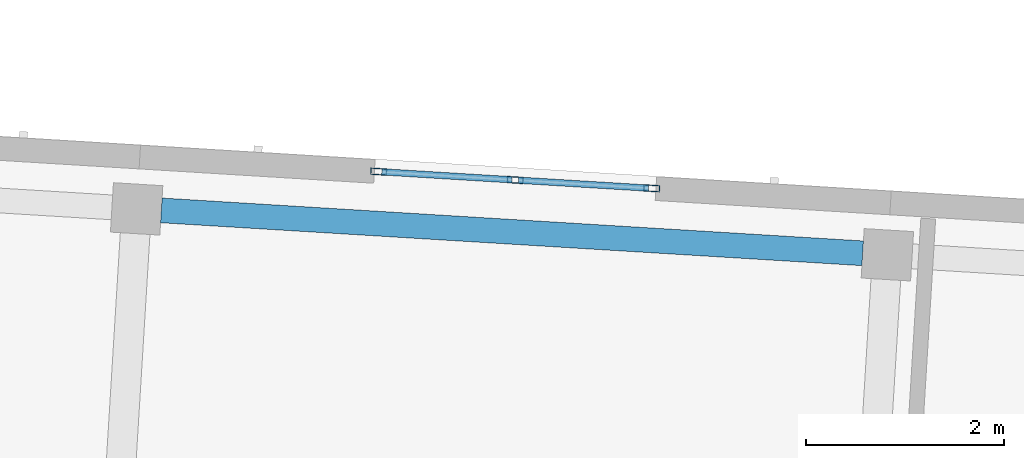
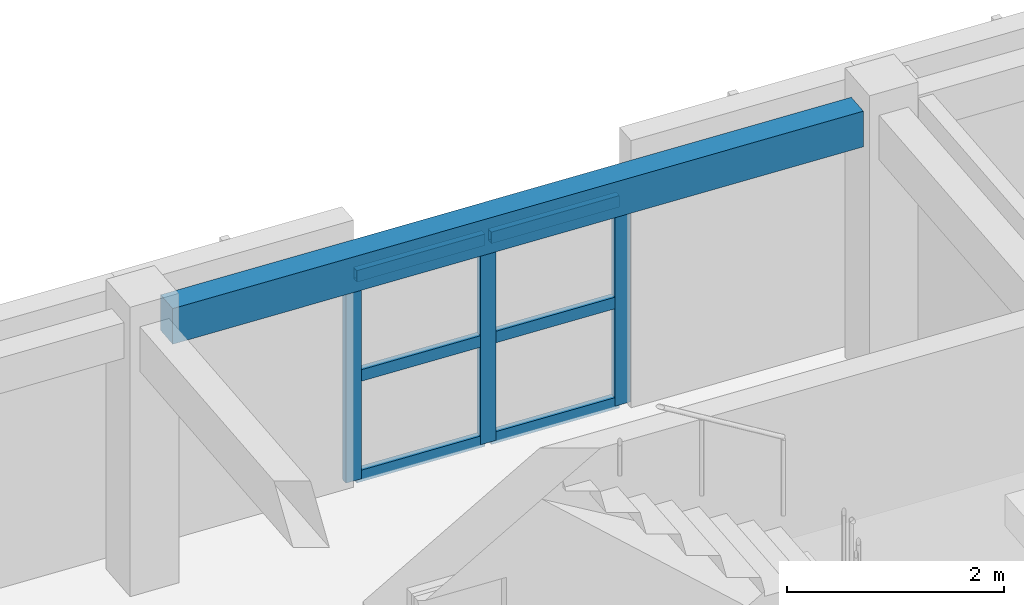
# One storey, part 6 of 68: 9 members, 1 beam, 1 element without a shape of its own.
"""IFC4 building model written with IfcOpenShell, lengths in metres."""

from ifc_helpers import new_model, si_unit, direction, frame, origin, origin_2d, place, context, subcontext, project, spatial, rectangle, hollow_rectangle, extrude, material, material_profile, profile_set, type_object, element, aggregate, save


model = new_model("IFC4")

# Units and contexts
model_context = context("Model", 3, precision=1e-05, world=origin(), true_north=direction((0.0, 1.0)))
body_context = subcontext(model_context, "Body", "Model", "MODEL_VIEW")
ifc_project = project(units=[si_unit("LENGTHUNIT", "METRE"), si_unit("AREAUNIT", "SQUARE_METRE"), si_unit("VOLUMEUNIT", "CUBIC_METRE"), si_unit("PLANEANGLEUNIT", "RADIAN"), si_unit("MASSUNIT", "GRAM", prefix="KILO")], contexts=[model_context])

# Site, building, storey
site_placement = place(None, origin())
site = spatial("IfcSite", under=ifc_project, at=site_placement, CompositionType="ELEMENT")
building_placement = place(site_placement, origin())
building = spatial("IfcBuilding", under=site, at=building_placement, Name="Kestramere Prow Commons", CompositionType="ELEMENT")
storey_placement = place(building_placement, frame((0.0, 0.0, 18.14990234375)))
storey = spatial("IfcBuildingStorey", under=building, at=storey_placement, Name="L05", CompositionType="ELEMENT", Elevation=18.14990234375)

# Curtain wall, members
ifc_material_1 = material(Name="Anodised Aluminium and Low-E Glass", Category="aluminium")
curtain_wall_type = type_object("IfcCurtainWallType", Name="CW-03 Glazed Curtain Wall 2830x2320", PredefinedType="USERDEFINED", material=ifc_material_1)
curtain_wall_placement = place(storey_placement, origin())
curtain_wall = element("IfcCurtainWall", 1, at=curtain_wall_placement, inside=storey, type_object=curtain_wall_type, Name="Block C L05 Stairwell Vertical Glazing 3", ObjectType="GLAZED CURTAIN WALL", PredefinedType="USERDEFINED")
ifc_material_2 = material(Name="Anodised Aluminium 6063-T6", Category="aluminium")
ifc_material_profile_1 = material_profile(ifc_material_2, hollow_rectangle(XDim=0.06494140625, YDim=0.159912109375, WallThickness=0.00390625, at=origin_2d()), Name="ALU-MUL 65x160")
ifc_profile_set_1 = profile_set([ifc_material_profile_1], Name="Anodised Aluminium 6063-T6")
member_type_1 = type_object("IfcMemberType", Name="CW-MUL-65x160", PredefinedType="MULLION", material=ifc_profile_set_1)
member_1_placement = place(storey_placement, frame((78.313232421875, 65.511962890625, 0.0), z_axis=(0.0, 0.0, 1.0), x_axis=(0.061048399176, 0.998134807007, 0.0)))
member_1 = element("IfcMember", 2, at=member_1_placement, type_object=member_type_1, Name="CW-03 mullion 1", PredefinedType="MULLION", context=body_context, shape_type="SweptSolid", body=[
    extrude(hollow_rectangle(XDim=0.06494140625, YDim=0.159912109375, WallThickness=0.00390625, at=origin_2d()), origin(), (0.0, 0.0, 1.0), 2.320068359375),
])
member_2_placement = place(storey_placement, frame((79.693115234375, 65.427490234375, 0.0), z_axis=(0.0, 0.0, 1.0), x_axis=(0.061048399176, 0.998134807007, 0.0)))
member_2 = element("IfcMember", 3, at=member_2_placement, type_object=member_type_1, Name="CW-03 mullion 2", PredefinedType="MULLION", context=body_context, shape_type="SweptSolid", body=[
    extrude(hollow_rectangle(XDim=0.06494140625, YDim=0.159912109375, WallThickness=0.00390625, at=origin_2d()), origin(), (0.0, 0.0, 1.0), 2.320068359375),
])
member_3_placement = place(storey_placement, frame((81.072998046875, 65.34326171875, 0.0), z_axis=(0.0, 0.0, 1.0), x_axis=(0.061048399176, 0.998134807007, 0.0)))
member_3 = element("IfcMember", 4, at=member_3_placement, type_object=member_type_1, Name="CW-03 mullion 3", PredefinedType="MULLION", context=body_context, shape_type="SweptSolid", body=[
    extrude(hollow_rectangle(XDim=0.06494140625, YDim=0.159912109375, WallThickness=0.00390625, at=origin_2d()), origin(), (0.0, 0.0, 1.0), 2.320068359375),
])
ifc_material_profile_2 = material_profile(ifc_material_2, hollow_rectangle(XDim=0.06494140625, YDim=0.1298828125, WallThickness=0.00390625, at=origin_2d()), Name="ALU-TRN 65x130")
ifc_profile_set_2 = profile_set([ifc_material_profile_2], Name="Anodised Aluminium 6063-T6")
member_type_2 = type_object("IfcMemberType", Name="CW-TRN-65x130", PredefinedType="USERDEFINED", material=ifc_profile_set_2)
member_4_placement = place(storey_placement, frame((78.345703125, 65.510009765625, 0.03271484375), z_axis=(0.99812826429, -0.061155277983, 0.0), x_axis=(0.061155277983, 0.99812826429, 0.0)))
member_4 = element("IfcMember", 5, at=member_4_placement, type_object=member_type_2, Name="CW-03 transom 1.1", ObjectType="TRANSOM", PredefinedType="USERDEFINED", context=body_context, shape_type="SweptSolid", body=[
    extrude(hollow_rectangle(XDim=0.06494140625, YDim=0.1298828125, WallThickness=0.00390625, at=origin_2d()), origin(), (0.0, 0.0, 1.0), 1.3173828125),
])
member_5_placement = place(storey_placement, frame((78.345703125, 65.510009765625, 1.16015625), z_axis=(0.99812826429, -0.061155277983, 0.0), x_axis=(0.061155277983, 0.99812826429, 0.0)))
member_5 = element("IfcMember", 6, at=member_5_placement, type_object=member_type_2, Name="CW-03 transom 1.2", ObjectType="TRANSOM", PredefinedType="USERDEFINED", context=body_context, shape_type="SweptSolid", body=[
    extrude(hollow_rectangle(XDim=0.06494140625, YDim=0.1298828125, WallThickness=0.00390625, at=origin_2d()), origin(), (0.0, 0.0, 1.0), 1.3173828125),
])
member_6_placement = place(storey_placement, frame((78.345703125, 65.510009765625, 2.28759765625), z_axis=(0.99812826429, -0.061155277983, 0.0), x_axis=(0.061155277983, 0.99812826429, 0.0)))
member_6 = element("IfcMember", 7, at=member_6_placement, type_object=member_type_2, Name="CW-03 transom 1.3", ObjectType="TRANSOM", PredefinedType="USERDEFINED", context=body_context, shape_type="SweptSolid", body=[
    extrude(hollow_rectangle(XDim=0.06494140625, YDim=0.1298828125, WallThickness=0.00390625, at=origin_2d()), origin(), (0.0, 0.0, 1.0), 1.3173828125),
])
member_7_placement = place(storey_placement, frame((79.7255859375, 65.425537109375, 0.03271484375), z_axis=(0.998139559366, -0.06097064891, 0.0), x_axis=(0.06097064891, 0.998139559366, 0.0)))
member_7 = element("IfcMember", 8, at=member_7_placement, type_object=member_type_2, Name="CW-03 transom 2.1", ObjectType="TRANSOM", PredefinedType="USERDEFINED", context=body_context, shape_type="SweptSolid", body=[
    extrude(hollow_rectangle(XDim=0.06494140625, YDim=0.1298828125, WallThickness=0.00390625, at=origin_2d()), origin(), (0.0, 0.0, 1.0), 1.3173828125),
])
member_8_placement = place(storey_placement, frame((79.7255859375, 65.425537109375, 1.16015625), z_axis=(0.998139559366, -0.06097064891, 0.0), x_axis=(0.06097064891, 0.998139559366, 0.0)))
member_8 = element("IfcMember", 9, at=member_8_placement, type_object=member_type_2, Name="CW-03 transom 2.2", ObjectType="TRANSOM", PredefinedType="USERDEFINED", context=body_context, shape_type="SweptSolid", body=[
    extrude(hollow_rectangle(XDim=0.06494140625, YDim=0.1298828125, WallThickness=0.00390625, at=origin_2d()), origin(), (0.0, 0.0, 1.0), 1.3173828125),
])
member_9_placement = place(storey_placement, frame((79.7255859375, 65.425537109375, 2.28759765625), z_axis=(0.998139559366, -0.06097064891, 0.0), x_axis=(0.06097064891, 0.998139559366, 0.0)))
member_9 = element("IfcMember", 10, at=member_9_placement, type_object=member_type_2, Name="CW-03 transom 2.3", ObjectType="TRANSOM", PredefinedType="USERDEFINED", context=body_context, shape_type="SweptSolid", body=[
    extrude(hollow_rectangle(XDim=0.06494140625, YDim=0.1298828125, WallThickness=0.00390625, at=origin_2d()), origin(), (0.0, 0.0, 1.0), 1.3173828125),
])
aggregate(curtain_wall, [member_1, member_2, member_3, member_4, member_5, member_6, member_7, member_8, member_9])

# Beam
ifc_material_3 = material(Name="Precast concrete C40/50", Category="concrete")
ifc_material_profile_3 = material_profile(ifc_material_3, rectangle(XDim=0.25, YDim=0.39990234375, at=origin_2d()), Name="PC-SP 250x400")
ifc_profile_set_3 = profile_set([ifc_material_profile_3], Name="Precast concrete C40/50")
beam_type = type_object("IfcBeamType", Name="SP-EXT-01 PC-SP 250x400", PredefinedType="SPANDREL", material=ifc_profile_set_3)
beam_placement = place(storey_placement, frame((76.11767578125, 65.120361328125, 2.800048828125), z_axis=(0.998133600873, -0.061068116134, 0.0), x_axis=(0.061068116134, 0.998133600873, 0.0)))
element("IfcBeam", 11, at=beam_placement, inside=storey, type_object=beam_type, Name="Block C L05 Longitudinal Beam 4-3", PredefinedType="SPANDREL", context=body_context, shape_type="SweptSolid", body=[
    extrude(rectangle(XDim=0.25, YDim=0.39990234375, at=origin_2d()), origin(), (0.0, 0.0, 1.0), 7.10009765625),
])

save(model, "model.ifc")
